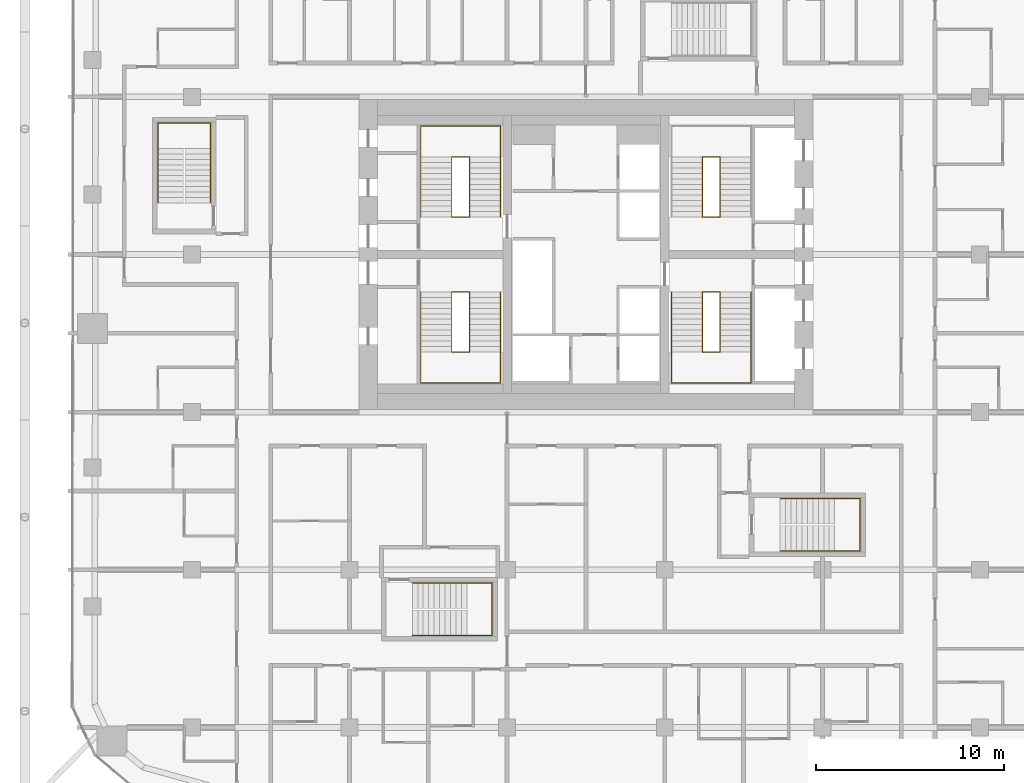
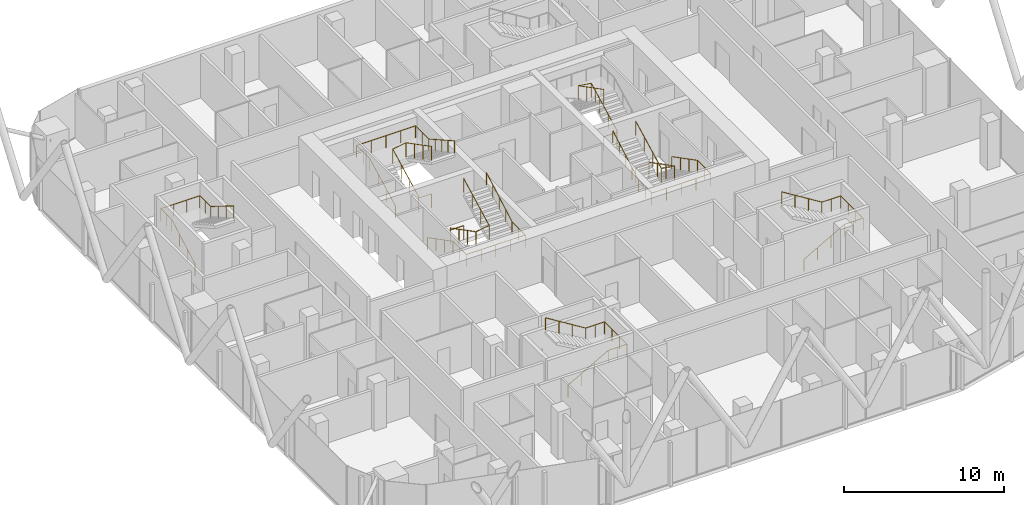
# One storey, part 32 of 33: 10 railings.
"""IFC4 building model written with IfcOpenShell, lengths in metres."""

from ifc_helpers import new_model, si_unit, direction, frame, origin, origin_2d, place, context, subcontext, project, spatial, circle, extrude, material, type_object, element, save


model = new_model("IFC4")

# Units and contexts
model_context = context("Model", 3, precision=1e-05, world=origin(), true_north=direction((0.0, 1.0)))
body_context = subcontext(model_context, "Body", "Model", "MODEL_VIEW")
ifc_project = project(units=[si_unit("LENGTHUNIT", "METRE"), si_unit("AREAUNIT", "SQUARE_METRE"), si_unit("VOLUMEUNIT", "CUBIC_METRE"), si_unit("PLANEANGLEUNIT", "RADIAN"), si_unit("MASSUNIT", "GRAM", prefix="KILO")], contexts=[model_context])

# Site, building, storey
site_placement = place(None, origin())
site = spatial("IfcSite", under=ifc_project, at=site_placement, CompositionType="ELEMENT")
building_placement = place(site_placement, origin())
building = spatial("IfcBuilding", under=site, at=building_placement, Name="Marenta Gate Hotel Tower", CompositionType="ELEMENT")
storey_placement = place(building_placement, frame((0.0, 0.0, 122.89990234375)))
storey = spatial("IfcBuildingStorey", under=building, at=storey_placement, Name="L27", CompositionType="ELEMENT", Elevation=122.89990234375)

# Railings
ifc_material_1 = material(Name="Stainless steel", Category="steel")
railing_type_1 = type_object("IfcRailingType", Name="Core stair handrail 950", PredefinedType="HANDRAIL", material=ifc_material_1)
railing_1_placement = place(storey_placement, frame((-8.800048828125, 6.39990234375, 0.150146484375)))
element("IfcRailing", 1, at=railing_1_placement, inside=storey, type_object=railing_type_1, Name="HR-950 L27-KR-ST1-1", PredefinedType="HANDRAIL", context=body_context, shape_type="SweptSolid", body=[
    extrude(circle(Radius=0.02392578125, at=origin_2d()), frame((0.0, 0.0, 0.92578125), z_axis=(0.0, -0.888225295554, 0.459408123936), x_axis=(1.0, 0.0, 0.0)), (0.0, 0.0, 1.0), 3.59130859375),
    extrude(circle(Radius=0.02392578125, at=origin_2d()), frame((0.0, -3.18994140625, 2.57568359375), z_axis=(0.0, -1.0, 0.0), x_axis=(1.0, 0.0, 0.0)), (0.0, 0.0, 1.0), 1.659912109375),
    extrude(circle(Radius=0.02392578125, at=origin_2d()), frame((0.0, -4.849853515625, 2.57568359375), z_axis=(1.0, 0.0, 0.0), x_axis=(0.0, 1.0, 0.0)), (0.0, 0.0, 1.0), 4.25),
    extrude(circle(Radius=0.02392578125, at=origin_2d()), frame((4.25, -4.849853515625, 2.57568359375), z_axis=(0.0, 1.0, 0.0), x_axis=(-1.0, 0.0, 0.0)), (0.0, 0.0, 1.0), 1.659912109375),
    extrude(circle(Radius=0.02392578125, at=origin_2d()), frame((4.25, -3.18994140625, 2.57568359375), z_axis=(0.0, 0.87090897868, 0.491444351738), x_axis=(-1.0, 0.0, 0.0)), (0.0, 0.0, 1.0), 3.662841796875),
    extrude(circle(Radius=0.02099609375, at=origin_2d()), origin(), (0.0, 0.0, 1.0), 0.90185546875),
    extrude(circle(Radius=0.02099609375, at=origin_2d()), frame((0.0, -1.063232421875, 0.550048828125)), (0.0, 0.0, 1.0), 0.90185546875),
    extrude(circle(Radius=0.02099609375, at=origin_2d()), frame((0.0, -2.126708984375, 1.099853515625)), (0.0, 0.0, 1.0), 0.90185546875),
    extrude(circle(Radius=0.02099609375, at=origin_2d()), frame((0.0, -3.18994140625, 1.64990234375)), (0.0, 0.0, 1.0), 0.90185546875),
    extrude(circle(Radius=0.02099609375, at=origin_2d()), frame((0.0, -4.02001953125, 1.64990234375)), (0.0, 0.0, 1.0), 0.90185546875),
    extrude(circle(Radius=0.02099609375, at=origin_2d()), frame((0.0, -4.849853515625, 1.64990234375)), (0.0, 0.0, 1.0), 0.90185546875),
    extrude(circle(Radius=0.02099609375, at=origin_2d()), frame((1.0625, -4.849853515625, 1.64990234375)), (0.0, 0.0, 1.0), 0.90185546875),
    extrude(circle(Radius=0.02099609375, at=origin_2d()), frame((2.125, -4.849853515625, 1.64990234375)), (0.0, 0.0, 1.0), 0.90185546875),
    extrude(circle(Radius=0.02099609375, at=origin_2d()), frame((3.1875, -4.849853515625, 1.64990234375)), (0.0, 0.0, 1.0), 0.90185546875),
    extrude(circle(Radius=0.02099609375, at=origin_2d()), frame((4.25, -4.849853515625, 1.64990234375)), (0.0, 0.0, 1.0), 0.90185546875),
    extrude(circle(Radius=0.02099609375, at=origin_2d()), frame((4.25, -4.02001953125, 1.64990234375)), (0.0, 0.0, 1.0), 0.90185546875),
    extrude(circle(Radius=0.02099609375, at=origin_2d()), frame((4.25, -3.18994140625, 1.64990234375)), (0.0, 0.0, 1.0), 0.90185546875),
    extrude(circle(Radius=0.02099609375, at=origin_2d()), frame((4.25, -2.392578125, 2.099853515625)), (0.0, 0.0, 1.0), 0.90185546875),
    extrude(circle(Radius=0.02099609375, at=origin_2d()), frame((4.25, -1.594970703125, 2.5498046875)), (0.0, 0.0, 1.0), 0.90185546875),
    extrude(circle(Radius=0.02099609375, at=origin_2d()), frame((4.25, -0.79736328125, 3.0)), (0.0, 0.0, 1.0), 0.90185546875),
    extrude(circle(Radius=0.02099609375, at=origin_2d()), frame((4.25, 0.0, 3.449951171875)), (0.0, 0.0, 1.0), 0.90185546875),
])
railing_2_placement = place(storey_placement, frame((-8.800048828125, 10.39990234375, 0.150146484375)))
element("IfcRailing", 2, at=railing_2_placement, inside=storey, type_object=railing_type_1, Name="HR-950 L27-KR-ST2-1", PredefinedType="HANDRAIL", context=body_context, shape_type="SweptSolid", body=[
    extrude(circle(Radius=0.02392578125, at=origin_2d()), frame((0.0, 0.0, 0.92578125), z_axis=(0.0, 0.888239641807, 0.459380385653), x_axis=(-1.0, 0.0, 0.0)), (0.0, 0.0, 1.0), 3.591552734375),
    extrude(circle(Radius=0.02392578125, at=origin_2d()), frame((0.0, 3.190185546875, 2.57568359375), z_axis=(0.0, 1.0, 0.0), x_axis=(-1.0, 0.0, 0.0)), (0.0, 0.0, 1.0), 1.659912109375),
    extrude(circle(Radius=0.02392578125, at=origin_2d()), frame((0.0, 4.85009765625, 2.57568359375), z_axis=(1.0, 0.0, 0.0), x_axis=(0.0, 1.0, 0.0)), (0.0, 0.0, 1.0), 4.25),
    extrude(circle(Radius=0.02392578125, at=origin_2d()), frame((4.25, 4.85009765625, 2.57568359375), z_axis=(0.0, -1.0, 0.0), x_axis=(1.0, 0.0, 0.0)), (0.0, 0.0, 1.0), 1.659912109375),
    extrude(circle(Radius=0.02392578125, at=origin_2d()), frame((4.25, 3.190185546875, 2.57568359375), z_axis=(0.0, -0.870925075533, 0.491415824742), x_axis=(1.0, 0.0, 0.0)), (0.0, 0.0, 1.0), 3.6630859375),
    extrude(circle(Radius=0.02099609375, at=origin_2d()), origin(), (0.0, 0.0, 1.0), 0.90185546875),
    extrude(circle(Radius=0.02099609375, at=origin_2d()), frame((0.0, 1.0634765625, 0.550048828125)), (0.0, 0.0, 1.0), 0.90185546875),
    extrude(circle(Radius=0.02099609375, at=origin_2d()), frame((0.0, 2.126708984375, 1.099853515625)), (0.0, 0.0, 1.0), 0.90185546875),
    extrude(circle(Radius=0.02099609375, at=origin_2d()), frame((0.0, 3.190185546875, 1.64990234375)), (0.0, 0.0, 1.0), 0.90185546875),
    extrude(circle(Radius=0.02099609375, at=origin_2d()), frame((0.0, 4.02001953125, 1.64990234375)), (0.0, 0.0, 1.0), 0.90185546875),
    extrude(circle(Radius=0.02099609375, at=origin_2d()), frame((0.0, 4.85009765625, 1.64990234375)), (0.0, 0.0, 1.0), 0.90185546875),
    extrude(circle(Radius=0.02099609375, at=origin_2d()), frame((1.0625, 4.85009765625, 1.64990234375)), (0.0, 0.0, 1.0), 0.90185546875),
    extrude(circle(Radius=0.02099609375, at=origin_2d()), frame((2.125, 4.85009765625, 1.64990234375)), (0.0, 0.0, 1.0), 0.90185546875),
    extrude(circle(Radius=0.02099609375, at=origin_2d()), frame((3.1875, 4.85009765625, 1.64990234375)), (0.0, 0.0, 1.0), 0.90185546875),
    extrude(circle(Radius=0.02099609375, at=origin_2d()), frame((4.25, 4.85009765625, 1.64990234375)), (0.0, 0.0, 1.0), 0.90185546875),
    extrude(circle(Radius=0.02099609375, at=origin_2d()), frame((4.25, 4.02001953125, 1.64990234375)), (0.0, 0.0, 1.0), 0.90185546875),
    extrude(circle(Radius=0.02099609375, at=origin_2d()), frame((4.25, 3.190185546875, 1.64990234375)), (0.0, 0.0, 1.0), 0.90185546875),
    extrude(circle(Radius=0.02099609375, at=origin_2d()), frame((4.25, 2.392578125, 2.099853515625)), (0.0, 0.0, 1.0), 0.90185546875),
    extrude(circle(Radius=0.02099609375, at=origin_2d()), frame((4.25, 1.59521484375, 2.5498046875)), (0.0, 0.0, 1.0), 0.90185546875),
    extrude(circle(Radius=0.02099609375, at=origin_2d()), frame((4.25, 0.797607421875, 3.0)), (0.0, 0.0, 1.0), 0.90185546875),
    extrude(circle(Radius=0.02099609375, at=origin_2d()), frame((4.25, 0.0, 3.449951171875)), (0.0, 0.0, 1.0), 0.90185546875),
])
railing_3_placement = place(storey_placement, frame((8.800048828125, 6.39990234375, 0.150146484375)))
element("IfcRailing", 3, at=railing_3_placement, inside=storey, type_object=railing_type_1, Name="HR-950 L27-KR-ST3-1", PredefinedType="HANDRAIL", context=body_context, shape_type="SweptSolid", body=[
    extrude(circle(Radius=0.02392578125, at=origin_2d()), frame((0.0, 0.0, 0.92578125), z_axis=(0.0, -0.888225295554, 0.459408123936), x_axis=(1.0, 0.0, 0.0)), (0.0, 0.0, 1.0), 3.59130859375),
    extrude(circle(Radius=0.02392578125, at=origin_2d()), frame((0.0, -3.18994140625, 2.57568359375), z_axis=(0.0, -1.0, 0.0), x_axis=(1.0, 0.0, 0.0)), (0.0, 0.0, 1.0), 1.659912109375),
    extrude(circle(Radius=0.02392578125, at=origin_2d()), frame((0.0, -4.849853515625, 2.57568359375), z_axis=(-1.0, 0.0, 0.0), x_axis=(0.0, -1.0, 0.0)), (0.0, 0.0, 1.0), 4.25),
    extrude(circle(Radius=0.02392578125, at=origin_2d()), frame((-4.25, -4.849853515625, 2.57568359375), z_axis=(0.0, 1.0, 0.0), x_axis=(-1.0, 0.0, 0.0)), (0.0, 0.0, 1.0), 1.659912109375),
    extrude(circle(Radius=0.02392578125, at=origin_2d()), frame((-4.25, -3.18994140625, 2.57568359375), z_axis=(0.0, 0.87090897868, 0.491444351738), x_axis=(-1.0, 0.0, 0.0)), (0.0, 0.0, 1.0), 3.662841796875),
    extrude(circle(Radius=0.02099609375, at=origin_2d()), origin(), (0.0, 0.0, 1.0), 0.90185546875),
    extrude(circle(Radius=0.02099609375, at=origin_2d()), frame((0.0, -1.063232421875, 0.550048828125)), (0.0, 0.0, 1.0), 0.90185546875),
    extrude(circle(Radius=0.02099609375, at=origin_2d()), frame((0.0, -2.126708984375, 1.099853515625)), (0.0, 0.0, 1.0), 0.90185546875),
    extrude(circle(Radius=0.02099609375, at=origin_2d()), frame((0.0, -3.18994140625, 1.64990234375)), (0.0, 0.0, 1.0), 0.90185546875),
    extrude(circle(Radius=0.02099609375, at=origin_2d()), frame((0.0, -4.02001953125, 1.64990234375)), (0.0, 0.0, 1.0), 0.90185546875),
    extrude(circle(Radius=0.02099609375, at=origin_2d()), frame((0.0, -4.849853515625, 1.64990234375)), (0.0, 0.0, 1.0), 0.90185546875),
    extrude(circle(Radius=0.02099609375, at=origin_2d()), frame((-1.0625, -4.849853515625, 1.64990234375)), (0.0, 0.0, 1.0), 0.90185546875),
    extrude(circle(Radius=0.02099609375, at=origin_2d()), frame((-2.125, -4.849853515625, 1.64990234375)), (0.0, 0.0, 1.0), 0.90185546875),
    extrude(circle(Radius=0.02099609375, at=origin_2d()), frame((-3.1875, -4.849853515625, 1.64990234375)), (0.0, 0.0, 1.0), 0.90185546875),
    extrude(circle(Radius=0.02099609375, at=origin_2d()), frame((-4.25, -4.849853515625, 1.64990234375)), (0.0, 0.0, 1.0), 0.90185546875),
    extrude(circle(Radius=0.02099609375, at=origin_2d()), frame((-4.25, -4.02001953125, 1.64990234375)), (0.0, 0.0, 1.0), 0.90185546875),
    extrude(circle(Radius=0.02099609375, at=origin_2d()), frame((-4.25, -3.18994140625, 1.64990234375)), (0.0, 0.0, 1.0), 0.90185546875),
    extrude(circle(Radius=0.02099609375, at=origin_2d()), frame((-4.25, -2.392578125, 2.099853515625)), (0.0, 0.0, 1.0), 0.90185546875),
    extrude(circle(Radius=0.02099609375, at=origin_2d()), frame((-4.25, -1.594970703125, 2.5498046875)), (0.0, 0.0, 1.0), 0.90185546875),
    extrude(circle(Radius=0.02099609375, at=origin_2d()), frame((-4.25, -0.79736328125, 3.0)), (0.0, 0.0, 1.0), 0.90185546875),
    extrude(circle(Radius=0.02099609375, at=origin_2d()), frame((-4.25, 0.0, 3.449951171875)), (0.0, 0.0, 1.0), 0.90185546875),
])
railing_4_placement = place(storey_placement, frame((-22.800048828125, 11.14990234375, 0.163818359375)))
element("IfcRailing", 4, at=railing_4_placement, inside=storey, type_object=railing_type_1, Name="HR-950 L27-RS-Z1-3-KR-1", PredefinedType="HANDRAIL", context=body_context, shape_type="SweptSolid", body=[
    extrude(circle(Radius=0.02392578125, at=origin_2d()), frame((0.0, 0.0, 0.92578125), z_axis=(0.0, 0.870946286338, 0.49137823142), x_axis=(-1.0, 0.0, 0.0)), (0.0, 0.0, 1.0), 3.329833984375),
    extrude(circle(Radius=0.02392578125, at=origin_2d()), frame((0.0, 2.900146484375, 2.56201171875), z_axis=(0.0, 1.0, 0.0), x_axis=(-1.0, 0.0, 0.0)), (0.0, 0.0, 1.0), 1.349853515625),
    extrude(circle(Radius=0.02392578125, at=origin_2d()), frame((0.0, 4.25, 2.56201171875), z_axis=(1.0, 0.0, 0.0), x_axis=(0.0, 1.0, 0.0)), (0.0, 0.0, 1.0), 2.800048828125),
    extrude(circle(Radius=0.02392578125, at=origin_2d()), frame((2.800048828125, 4.25, 2.56201171875), z_axis=(0.0, -1.0, 0.0), x_axis=(1.0, 0.0, 0.0)), (0.0, 0.0, 1.0), 1.349853515625),
    extrude(circle(Radius=0.02392578125, at=origin_2d()), frame((2.800048828125, 2.900146484375, 2.56201171875), z_axis=(0.0, -0.849645691689, 0.527353959494), x_axis=(1.0, 0.0, 0.0)), (0.0, 0.0, 1.0), 3.413330078125),
    extrude(circle(Radius=0.02099609375, at=origin_2d()), origin(), (0.0, 0.0, 1.0), 0.90185546875),
    extrude(circle(Radius=0.02099609375, at=origin_2d()), frame((0.0, 0.966796875, 0.54541015625)), (0.0, 0.0, 1.0), 0.90185546875),
    extrude(circle(Radius=0.02099609375, at=origin_2d()), frame((0.0, 1.933349609375, 1.0908203125)), (0.0, 0.0, 1.0), 0.90185546875),
    extrude(circle(Radius=0.02099609375, at=origin_2d()), frame((0.0, 2.900146484375, 1.63623046875)), (0.0, 0.0, 1.0), 0.90185546875),
    extrude(circle(Radius=0.02099609375, at=origin_2d()), frame((0.0, 3.5751953125, 1.63623046875)), (0.0, 0.0, 1.0), 0.90185546875),
    extrude(circle(Radius=0.02099609375, at=origin_2d()), frame((0.0, 4.25, 1.63623046875)), (0.0, 0.0, 1.0), 0.90185546875),
    extrude(circle(Radius=0.02099609375, at=origin_2d()), frame((0.933349609375, 4.25, 1.63623046875)), (0.0, 0.0, 1.0), 0.90185546875),
    extrude(circle(Radius=0.02099609375, at=origin_2d()), frame((1.86669921875, 4.25, 1.63623046875)), (0.0, 0.0, 1.0), 0.90185546875),
    extrude(circle(Radius=0.02099609375, at=origin_2d()), frame((2.800048828125, 4.25, 1.63623046875)), (0.0, 0.0, 1.0), 0.90185546875),
    extrude(circle(Radius=0.02099609375, at=origin_2d()), frame((2.800048828125, 3.5751953125, 1.63623046875)), (0.0, 0.0, 1.0), 0.90185546875),
    extrude(circle(Radius=0.02099609375, at=origin_2d()), frame((2.800048828125, 2.900146484375, 1.63623046875)), (0.0, 0.0, 1.0), 0.90185546875),
    extrude(circle(Radius=0.02099609375, at=origin_2d()), frame((2.800048828125, 1.933349609375, 2.236328125)), (0.0, 0.0, 1.0), 0.90185546875),
    extrude(circle(Radius=0.02099609375, at=origin_2d()), frame((2.800048828125, 0.966796875, 2.836181640625)), (0.0, 0.0, 1.0), 0.90185546875),
    extrude(circle(Radius=0.02099609375, at=origin_2d()), frame((2.800048828125, 0.0, 3.436279296875)), (0.0, 0.0, 1.0), 0.90185546875),
])
railing_5_placement = place(storey_placement, frame((-9.25, -11.89990234375, 0.163818359375)))
element("IfcRailing", 5, at=railing_5_placement, inside=storey, type_object=railing_type_1, Name="HR-950 L27-RS-Z2-1-KR-1", PredefinedType="HANDRAIL", context=body_context, shape_type="SweptSolid", body=[
    extrude(circle(Radius=0.02392578125, at=origin_2d()), frame((0.0, 0.0, 0.92578125), z_axis=(0.870928581787, 0.0, 0.491409610636), x_axis=(0.0, 1.0, 0.0)), (0.0, 0.0, 1.0), 3.32958984375),
    extrude(circle(Radius=0.02392578125, at=origin_2d()), frame((2.89990234375, 0.0, 2.56201171875), z_axis=(1.0, 0.0, 0.0), x_axis=(0.0, 1.0, 0.0)), (0.0, 0.0, 1.0), 1.35009765625),
    extrude(circle(Radius=0.02392578125, at=origin_2d()), frame((4.25, 0.0, 2.56201171875), z_axis=(0.0, 1.0, 0.0), x_axis=(-1.0, 0.0, 0.0)), (0.0, 0.0, 1.0), 2.7998046875),
    extrude(circle(Radius=0.02392578125, at=origin_2d()), frame((4.25, 2.7998046875, 2.56201171875), z_axis=(-1.0, 0.0, 0.0), x_axis=(0.0, -1.0, 0.0)), (0.0, 0.0, 1.0), 1.35009765625),
    extrude(circle(Radius=0.02392578125, at=origin_2d()), frame((2.89990234375, 2.7998046875, 2.56201171875), z_axis=(-0.849625798611, 0.0, 0.527386008853), x_axis=(0.0, -1.0, 0.0)), (0.0, 0.0, 1.0), 3.4130859375),
    extrude(circle(Radius=0.02099609375, at=origin_2d()), origin(), (0.0, 0.0, 1.0), 0.90185546875),
    extrude(circle(Radius=0.02099609375, at=origin_2d()), frame((0.966552734375, 0.0, 0.54541015625)), (0.0, 0.0, 1.0), 0.90185546875),
    extrude(circle(Radius=0.02099609375, at=origin_2d()), frame((1.933349609375, 0.0, 1.0908203125)), (0.0, 0.0, 1.0), 0.90185546875),
    extrude(circle(Radius=0.02099609375, at=origin_2d()), frame((2.89990234375, 0.0, 1.63623046875)), (0.0, 0.0, 1.0), 0.90185546875),
    extrude(circle(Radius=0.02099609375, at=origin_2d()), frame((3.574951171875, 0.0, 1.63623046875)), (0.0, 0.0, 1.0), 0.90185546875),
    extrude(circle(Radius=0.02099609375, at=origin_2d()), frame((4.25, 0.0, 1.63623046875)), (0.0, 0.0, 1.0), 0.90185546875),
    extrude(circle(Radius=0.02099609375, at=origin_2d()), frame((4.25, 0.933349609375, 1.63623046875)), (0.0, 0.0, 1.0), 0.90185546875),
    extrude(circle(Radius=0.02099609375, at=origin_2d()), frame((4.25, 1.866455078125, 1.63623046875)), (0.0, 0.0, 1.0), 0.90185546875),
    extrude(circle(Radius=0.02099609375, at=origin_2d()), frame((4.25, 2.7998046875, 1.63623046875)), (0.0, 0.0, 1.0), 0.90185546875),
    extrude(circle(Radius=0.02099609375, at=origin_2d()), frame((3.574951171875, 2.7998046875, 1.63623046875)), (0.0, 0.0, 1.0), 0.90185546875),
    extrude(circle(Radius=0.02099609375, at=origin_2d()), frame((2.89990234375, 2.7998046875, 1.63623046875)), (0.0, 0.0, 1.0), 0.90185546875),
    extrude(circle(Radius=0.02099609375, at=origin_2d()), frame((1.933349609375, 2.7998046875, 2.236328125)), (0.0, 0.0, 1.0), 0.90185546875),
    extrude(circle(Radius=0.02099609375, at=origin_2d()), frame((0.966552734375, 2.7998046875, 2.836181640625)), (0.0, 0.0, 1.0), 0.90185546875),
    extrude(circle(Radius=0.02099609375, at=origin_2d()), frame((0.0, 2.7998046875, 3.436279296875)), (0.0, 0.0, 1.0), 0.90185546875),
])
railing_6_placement = place(storey_placement, frame((10.35009765625, -7.39990234375, 0.163818359375)))
element("IfcRailing", 6, at=railing_6_placement, inside=storey, type_object=railing_type_1, Name="HR-950 L27-RS-Z2-2-KR-1", PredefinedType="HANDRAIL", context=body_context, shape_type="SweptSolid", body=[
    extrude(circle(Radius=0.02392578125, at=origin_2d()), frame((0.0, 0.0, 0.92578125), z_axis=(0.870928581787, 0.0, 0.491409610636), x_axis=(0.0, 1.0, 0.0)), (0.0, 0.0, 1.0), 3.32958984375),
    extrude(circle(Radius=0.02392578125, at=origin_2d()), frame((2.89990234375, 0.0, 2.56201171875), z_axis=(1.0, 0.0, 0.0), x_axis=(0.0, 1.0, 0.0)), (0.0, 0.0, 1.0), 1.35009765625),
    extrude(circle(Radius=0.02392578125, at=origin_2d()), frame((4.25, 0.0, 2.56201171875), z_axis=(0.0, 1.0, 0.0), x_axis=(-1.0, 0.0, 0.0)), (0.0, 0.0, 1.0), 2.7998046875),
    extrude(circle(Radius=0.02392578125, at=origin_2d()), frame((4.25, 2.7998046875, 2.56201171875), z_axis=(-1.0, 0.0, 0.0), x_axis=(0.0, -1.0, 0.0)), (0.0, 0.0, 1.0), 1.35009765625),
    extrude(circle(Radius=0.02392578125, at=origin_2d()), frame((2.89990234375, 2.7998046875, 2.56201171875), z_axis=(-0.849625798611, 0.0, 0.527386008853), x_axis=(0.0, -1.0, 0.0)), (0.0, 0.0, 1.0), 3.4130859375),
    extrude(circle(Radius=0.02099609375, at=origin_2d()), origin(), (0.0, 0.0, 1.0), 0.90185546875),
    extrude(circle(Radius=0.02099609375, at=origin_2d()), frame((0.966552734375, 0.0, 0.54541015625)), (0.0, 0.0, 1.0), 0.90185546875),
    extrude(circle(Radius=0.02099609375, at=origin_2d()), frame((1.933349609375, 0.0, 1.0908203125)), (0.0, 0.0, 1.0), 0.90185546875),
    extrude(circle(Radius=0.02099609375, at=origin_2d()), frame((2.89990234375, 0.0, 1.63623046875)), (0.0, 0.0, 1.0), 0.90185546875),
    extrude(circle(Radius=0.02099609375, at=origin_2d()), frame((3.574951171875, 0.0, 1.63623046875)), (0.0, 0.0, 1.0), 0.90185546875),
    extrude(circle(Radius=0.02099609375, at=origin_2d()), frame((4.25, 0.0, 1.63623046875)), (0.0, 0.0, 1.0), 0.90185546875),
    extrude(circle(Radius=0.02099609375, at=origin_2d()), frame((4.25, 0.933349609375, 1.63623046875)), (0.0, 0.0, 1.0), 0.90185546875),
    extrude(circle(Radius=0.02099609375, at=origin_2d()), frame((4.25, 1.866455078125, 1.63623046875)), (0.0, 0.0, 1.0), 0.90185546875),
    extrude(circle(Radius=0.02099609375, at=origin_2d()), frame((4.25, 2.7998046875, 1.63623046875)), (0.0, 0.0, 1.0), 0.90185546875),
    extrude(circle(Radius=0.02099609375, at=origin_2d()), frame((3.574951171875, 2.7998046875, 1.63623046875)), (0.0, 0.0, 1.0), 0.90185546875),
    extrude(circle(Radius=0.02099609375, at=origin_2d()), frame((2.89990234375, 2.7998046875, 1.63623046875)), (0.0, 0.0, 1.0), 0.90185546875),
    extrude(circle(Radius=0.02099609375, at=origin_2d()), frame((1.933349609375, 2.7998046875, 2.236328125)), (0.0, 0.0, 1.0), 0.90185546875),
    extrude(circle(Radius=0.02099609375, at=origin_2d()), frame((0.966552734375, 2.7998046875, 2.836181640625)), (0.0, 0.0, 1.0), 0.90185546875),
    extrude(circle(Radius=0.02099609375, at=origin_2d()), frame((0.0, 2.7998046875, 3.436279296875)), (0.0, 0.0, 1.0), 0.90185546875),
])
ifc_material_2 = material(Name="Stainless steel", Category="steel")
railing_type_2 = type_object("IfcRailingType", Name="Core stair well guard 1100", PredefinedType="GUARDRAIL", material=ifc_material_2)
railing_7_placement = place(storey_placement, frame((-6.199951171875, 6.39990234375, 0.0)))
element("IfcRailing", 7, at=railing_7_placement, inside=storey, type_object=railing_type_2, Name="GR-1100 L27-KR-ST1-2", PredefinedType="GUARDRAIL", context=body_context, shape_type="SweptSolid", body=[
    extrude(circle(Radius=0.02392578125, at=origin_2d()), frame((0.0, 0.0, 1.076171875), z_axis=(-1.0, 0.0, 0.0), x_axis=(0.0, -1.0, 0.0)), (0.0, 0.0, 1.0), 0.949951171875),
    extrude(circle(Radius=0.02392578125, at=origin_2d()), frame((-0.949951171875, 0.0, 1.076171875), z_axis=(0.0, 0.0, 1.0), x_axis=(1.0, 0.0, 0.0)), (0.0, 0.0, 1.0), 0.150146484375),
    extrude(circle(Radius=0.02392578125, at=origin_2d()), frame((-0.949951171875, 0.0, 1.22607421875), z_axis=(0.0, -0.888225295554, 0.459408123936), x_axis=(1.0, 0.0, 0.0)), (0.0, 0.0, 1.0), 3.59130859375),
    extrude(circle(Radius=0.02392578125, at=origin_2d()), frame((-0.949951171875, -3.18994140625, 2.8759765625), z_axis=(0.987738253826, 0.0, 0.156118999255), x_axis=(0.0, 1.0, 0.0)), (0.0, 0.0, 1.0), 0.961669921875),
    extrude(circle(Radius=0.02392578125, at=origin_2d()), frame((0.0, -3.18994140625, 3.0263671875), z_axis=(0.0, 0.888225295554, 0.459408123936), x_axis=(-1.0, 0.0, 0.0)), (0.0, 0.0, 1.0), 3.59130859375),
    extrude(circle(Radius=0.02099609375, at=origin_2d()), origin(), (0.0, 0.0, 1.0), 1.052001953125),
    extrude(circle(Radius=0.02099609375, at=origin_2d()), frame((-0.949951171875, 0.0, 0.0)), (0.0, 0.0, 1.0), 1.052001953125),
    extrude(circle(Radius=0.02099609375, at=origin_2d()), frame((-0.949951171875, 0.0, 0.150146484375)), (0.0, 0.0, 1.0), 1.052001953125),
    extrude(circle(Radius=0.02099609375, at=origin_2d()), frame((-0.949951171875, -1.063232421875, 0.7001953125)), (0.0, 0.0, 1.0), 1.052001953125),
    extrude(circle(Radius=0.02099609375, at=origin_2d()), frame((-0.949951171875, -2.126708984375, 1.25)), (0.0, 0.0, 1.0), 1.052001953125),
    extrude(circle(Radius=0.02099609375, at=origin_2d()), frame((-0.949951171875, -3.18994140625, 1.800048828125)), (0.0, 0.0, 1.0), 1.052001953125),
    extrude(circle(Radius=0.02099609375, at=origin_2d()), frame((0.0, -3.18994140625, 1.9501953125)), (0.0, 0.0, 1.0), 1.052001953125),
    extrude(circle(Radius=0.02099609375, at=origin_2d()), frame((0.0, -2.126708984375, 2.500244140625)), (0.0, 0.0, 1.0), 1.052001953125),
    extrude(circle(Radius=0.02099609375, at=origin_2d()), frame((0.0, -1.063232421875, 3.050048828125)), (0.0, 0.0, 1.0), 1.052001953125),
    extrude(circle(Radius=0.02099609375, at=origin_2d()), frame((0.0, 0.0, 3.60009765625)), (0.0, 0.0, 1.0), 1.052001953125),
])
railing_8_placement = place(storey_placement, frame((-6.199951171875, 10.39990234375, 0.0)))
element("IfcRailing", 8, at=railing_8_placement, inside=storey, type_object=railing_type_2, Name="GR-1100 L27-KR-ST2-2", PredefinedType="GUARDRAIL", context=body_context, shape_type="SweptSolid", body=[
    extrude(circle(Radius=0.02392578125, at=origin_2d()), frame((0.0, 0.0, 1.076171875), z_axis=(-1.0, 0.0, 0.0), x_axis=(0.0, -1.0, 0.0)), (0.0, 0.0, 1.0), 0.949951171875),
    extrude(circle(Radius=0.02392578125, at=origin_2d()), frame((-0.949951171875, 0.0, 1.076171875), z_axis=(0.0, 0.0, 1.0), x_axis=(1.0, 0.0, 0.0)), (0.0, 0.0, 1.0), 0.150146484375),
    extrude(circle(Radius=0.02392578125, at=origin_2d()), frame((-0.949951171875, 0.0, 1.22607421875), z_axis=(0.0, 0.888239641807, 0.459380385653), x_axis=(-1.0, 0.0, 0.0)), (0.0, 0.0, 1.0), 3.591552734375),
    extrude(circle(Radius=0.02392578125, at=origin_2d()), frame((-0.949951171875, 3.190185546875, 2.8759765625), z_axis=(0.987738253826, 0.0, 0.156118999255), x_axis=(0.0, 1.0, 0.0)), (0.0, 0.0, 1.0), 0.961669921875),
    extrude(circle(Radius=0.02392578125, at=origin_2d()), frame((0.0, 3.190185546875, 3.0263671875), z_axis=(0.0, -0.888239641807, 0.459380385653), x_axis=(1.0, 0.0, 0.0)), (0.0, 0.0, 1.0), 3.591552734375),
    extrude(circle(Radius=0.02099609375, at=origin_2d()), origin(), (0.0, 0.0, 1.0), 1.052001953125),
    extrude(circle(Radius=0.02099609375, at=origin_2d()), frame((-0.949951171875, 0.0, 0.0)), (0.0, 0.0, 1.0), 1.052001953125),
    extrude(circle(Radius=0.02099609375, at=origin_2d()), frame((-0.949951171875, 0.0, 0.150146484375)), (0.0, 0.0, 1.0), 1.052001953125),
    extrude(circle(Radius=0.02099609375, at=origin_2d()), frame((-0.949951171875, 1.0634765625, 0.7001953125)), (0.0, 0.0, 1.0), 1.052001953125),
    extrude(circle(Radius=0.02099609375, at=origin_2d()), frame((-0.949951171875, 2.126708984375, 1.25)), (0.0, 0.0, 1.0), 1.052001953125),
    extrude(circle(Radius=0.02099609375, at=origin_2d()), frame((-0.949951171875, 3.190185546875, 1.800048828125)), (0.0, 0.0, 1.0), 1.052001953125),
    extrude(circle(Radius=0.02099609375, at=origin_2d()), frame((0.0, 3.190185546875, 1.9501953125)), (0.0, 0.0, 1.0), 1.052001953125),
    extrude(circle(Radius=0.02099609375, at=origin_2d()), frame((0.0, 2.126708984375, 2.500244140625)), (0.0, 0.0, 1.0), 1.052001953125),
    extrude(circle(Radius=0.02099609375, at=origin_2d()), frame((0.0, 1.0634765625, 3.050048828125)), (0.0, 0.0, 1.0), 1.052001953125),
    extrude(circle(Radius=0.02099609375, at=origin_2d()), frame((0.0, 0.0, 3.60009765625)), (0.0, 0.0, 1.0), 1.052001953125),
])
railing_9_placement = place(storey_placement, frame((6.199951171875, 6.39990234375, 0.0)))
element("IfcRailing", 9, at=railing_9_placement, inside=storey, type_object=railing_type_2, Name="GR-1100 L27-KR-ST3-2", PredefinedType="GUARDRAIL", context=body_context, shape_type="SweptSolid", body=[
    extrude(circle(Radius=0.02392578125, at=origin_2d()), frame((0.0, 0.0, 1.076171875), z_axis=(1.0, 0.0, 0.0), x_axis=(0.0, 1.0, 0.0)), (0.0, 0.0, 1.0), 0.949951171875),
    extrude(circle(Radius=0.02392578125, at=origin_2d()), frame((0.949951171875, 0.0, 1.076171875), z_axis=(0.0, 0.0, 1.0), x_axis=(1.0, 0.0, 0.0)), (0.0, 0.0, 1.0), 0.150146484375),
    extrude(circle(Radius=0.02392578125, at=origin_2d()), frame((0.949951171875, 0.0, 1.22607421875), z_axis=(0.0, -0.888225295554, 0.459408123936), x_axis=(1.0, 0.0, 0.0)), (0.0, 0.0, 1.0), 3.59130859375),
    extrude(circle(Radius=0.02392578125, at=origin_2d()), frame((0.949951171875, -3.18994140625, 2.8759765625), z_axis=(-0.987738253826, 0.0, 0.156118999255), x_axis=(0.0, -1.0, 0.0)), (0.0, 0.0, 1.0), 0.961669921875),
    extrude(circle(Radius=0.02392578125, at=origin_2d()), frame((0.0, -3.18994140625, 3.0263671875), z_axis=(0.0, 0.888225295554, 0.459408123936), x_axis=(-1.0, 0.0, 0.0)), (0.0, 0.0, 1.0), 3.59130859375),
    extrude(circle(Radius=0.02099609375, at=origin_2d()), origin(), (0.0, 0.0, 1.0), 1.052001953125),
    extrude(circle(Radius=0.02099609375, at=origin_2d()), frame((0.949951171875, 0.0, 0.0)), (0.0, 0.0, 1.0), 1.052001953125),
    extrude(circle(Radius=0.02099609375, at=origin_2d()), frame((0.949951171875, 0.0, 0.150146484375)), (0.0, 0.0, 1.0), 1.052001953125),
    extrude(circle(Radius=0.02099609375, at=origin_2d()), frame((0.949951171875, -1.063232421875, 0.7001953125)), (0.0, 0.0, 1.0), 1.052001953125),
    extrude(circle(Radius=0.02099609375, at=origin_2d()), frame((0.949951171875, -2.126708984375, 1.25)), (0.0, 0.0, 1.0), 1.052001953125),
    extrude(circle(Radius=0.02099609375, at=origin_2d()), frame((0.949951171875, -3.18994140625, 1.800048828125)), (0.0, 0.0, 1.0), 1.052001953125),
    extrude(circle(Radius=0.02099609375, at=origin_2d()), frame((0.0, -3.18994140625, 1.9501953125)), (0.0, 0.0, 1.0), 1.052001953125),
    extrude(circle(Radius=0.02099609375, at=origin_2d()), frame((0.0, -2.126708984375, 2.500244140625)), (0.0, 0.0, 1.0), 1.052001953125),
    extrude(circle(Radius=0.02099609375, at=origin_2d()), frame((0.0, -1.063232421875, 3.050048828125)), (0.0, 0.0, 1.0), 1.052001953125),
    extrude(circle(Radius=0.02099609375, at=origin_2d()), frame((0.0, 0.0, 3.60009765625)), (0.0, 0.0, 1.0), 1.052001953125),
])
railing_10_placement = place(storey_placement, frame((6.199951171875, 10.39990234375, 0.0)))
element("IfcRailing", 10, at=railing_10_placement, inside=storey, type_object=railing_type_2, Name="GR-1100 L27-KR-ST4-2", PredefinedType="GUARDRAIL", context=body_context, shape_type="SweptSolid", body=[
    extrude(circle(Radius=0.02392578125, at=origin_2d()), frame((0.0, 0.0, 1.076171875), z_axis=(1.0, 0.0, 0.0), x_axis=(0.0, 1.0, 0.0)), (0.0, 0.0, 1.0), 0.949951171875),
    extrude(circle(Radius=0.02392578125, at=origin_2d()), frame((0.949951171875, 0.0, 1.076171875), z_axis=(0.0, 0.0, 1.0), x_axis=(1.0, 0.0, 0.0)), (0.0, 0.0, 1.0), 0.150146484375),
    extrude(circle(Radius=0.02392578125, at=origin_2d()), frame((0.949951171875, 0.0, 1.22607421875), z_axis=(0.0, 0.888239641807, 0.459380385653), x_axis=(-1.0, 0.0, 0.0)), (0.0, 0.0, 1.0), 3.591552734375),
    extrude(circle(Radius=0.02392578125, at=origin_2d()), frame((0.949951171875, 3.190185546875, 2.8759765625), z_axis=(-0.987738253826, 0.0, 0.156118999255), x_axis=(0.0, -1.0, 0.0)), (0.0, 0.0, 1.0), 0.961669921875),
    extrude(circle(Radius=0.02392578125, at=origin_2d()), frame((0.0, 3.190185546875, 3.0263671875), z_axis=(0.0, -0.888239641807, 0.459380385653), x_axis=(1.0, 0.0, 0.0)), (0.0, 0.0, 1.0), 3.591552734375),
    extrude(circle(Radius=0.02099609375, at=origin_2d()), origin(), (0.0, 0.0, 1.0), 1.052001953125),
    extrude(circle(Radius=0.02099609375, at=origin_2d()), frame((0.949951171875, 0.0, 0.0)), (0.0, 0.0, 1.0), 1.052001953125),
    extrude(circle(Radius=0.02099609375, at=origin_2d()), frame((0.949951171875, 0.0, 0.150146484375)), (0.0, 0.0, 1.0), 1.052001953125),
    extrude(circle(Radius=0.02099609375, at=origin_2d()), frame((0.949951171875, 1.0634765625, 0.7001953125)), (0.0, 0.0, 1.0), 1.052001953125),
    extrude(circle(Radius=0.02099609375, at=origin_2d()), frame((0.949951171875, 2.126708984375, 1.25)), (0.0, 0.0, 1.0), 1.052001953125),
    extrude(circle(Radius=0.02099609375, at=origin_2d()), frame((0.949951171875, 3.190185546875, 1.800048828125)), (0.0, 0.0, 1.0), 1.052001953125),
    extrude(circle(Radius=0.02099609375, at=origin_2d()), frame((0.0, 3.190185546875, 1.9501953125)), (0.0, 0.0, 1.0), 1.052001953125),
    extrude(circle(Radius=0.02099609375, at=origin_2d()), frame((0.0, 2.126708984375, 2.500244140625)), (0.0, 0.0, 1.0), 1.052001953125),
    extrude(circle(Radius=0.02099609375, at=origin_2d()), frame((0.0, 1.0634765625, 3.050048828125)), (0.0, 0.0, 1.0), 1.052001953125),
    extrude(circle(Radius=0.02099609375, at=origin_2d()), frame((0.0, 0.0, 3.60009765625)), (0.0, 0.0, 1.0), 1.052001953125),
])

save(model, "model.ifc")
